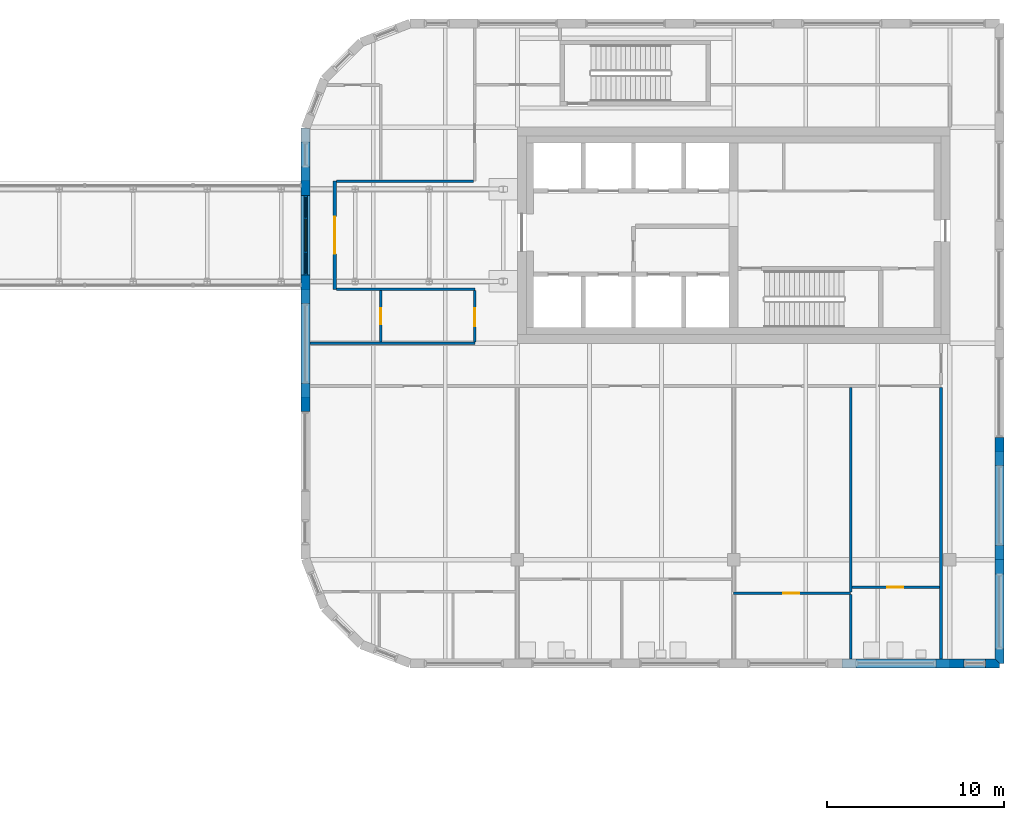
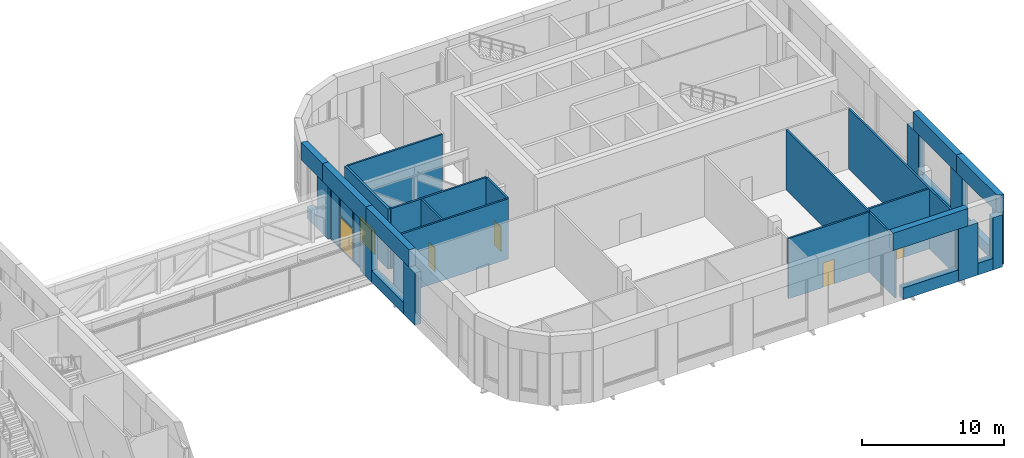
# One storey, part 27 of 36: 32 walls, 6 doors, 3 plates, 9 openings.
"""IFC4 building model written with IfcOpenShell, lengths in metres."""

from ifc_helpers import new_model, si_unit, direction, frame, frame_2d, origin, place, context, subcontext, project, spatial, polyline, rectangle, outline, extrude, faceted_brep, source, transform, mapped, material, layer, layer_set, type_object, element, fill, save


model = new_model("IFC4")

# Units and contexts
model_context = context("Model", 3, precision=1e-05, world=origin(), true_north=direction((0.0, 1.0)))
body_context = subcontext(model_context, "Body", "Model", "MODEL_VIEW")
ifc_project = project(units=[si_unit("LENGTHUNIT", "METRE"), si_unit("AREAUNIT", "SQUARE_METRE"), si_unit("VOLUMEUNIT", "CUBIC_METRE"), si_unit("PLANEANGLEUNIT", "RADIAN"), si_unit("MASSUNIT", "GRAM", prefix="KILO")], contexts=[model_context])

# Site, building, storey
site_placement = place(None, origin())
site = spatial("IfcSite", under=ifc_project, at=site_placement, CompositionType="ELEMENT")
building_placement = place(site_placement, origin())
building = spatial("IfcBuilding", under=site, at=building_placement, Name="Tessera Gate Towers", CompositionType="ELEMENT")
storey_placement = place(building_placement, frame((0.0, 0.0, 106.60009765625)))
storey = spatial("IfcBuildingStorey", under=building, at=storey_placement, Name="L26", CompositionType="ELEMENT", Elevation=106.60009765625)

# Wall, opening, door
ifc_material_1 = material(Name="Gypsum board on steel studs", Category="steel")
ifc_layer_1 = layer(ifc_material_1, 0.199951171875)
ifc_layer_set_1 = layer_set([ifc_layer_1], Name="BRIDGE LANDING WALL 200")
wall_type_1 = type_object("IfcWallType", Name="BRIDGE LANDING WALL 200", PredefinedType="PARTITIONING", material=ifc_layer_set_1)
wall_1_placement = place(storey_placement, frame((87.300048828125, 45.75, 0.0), z_axis=(0.0, 0.0, 1.0), x_axis=(0.0, -1.0, 0.0)))
wall_1 = element("IfcWall", 1, at=wall_1_placement, inside=storey, type_object=wall_type_1, Name="L26 bridge landing wall", PredefinedType="PARTITIONING", context=body_context, shape_type="SweptSolid", body=[
    extrude(rectangle(XDim=6.10009765625, YDim=0.199951171875, at=frame_2d((3.050048828125, 0.0))), origin(), (0.0, 0.0, 1.0), 5.1669921875),
])
shared_shape_1 = source(origin(), body_context, "Body", "SweptSolid", [
    extrude(rectangle(XDim=2.10009765625, YDim=2.10009765625, at=frame_2d((1.050048828125, 1.050048828125))), frame((0.0, 0.10986328125, 0.0), z_axis=(0.0, -1.0, 0.0), x_axis=(1.0, 0.0, 0.0)), (0.0, 0.0, 1.0), 0.219970703125),
])
opening_1_placement = place(wall_1_placement, frame((2.0, 0.0, 0.0)))
opening_1 = element("IfcOpeningElement", 2, at=opening_1_placement, cuts=wall_1, Name="Opening XD-BR2-T2", PredefinedType="OPENING", context=body_context, shape_type="MappedRepresentation", body=[
    mapped(shared_shape_1, transform((0.0, 0.0, 0.0), scale=1.0)),
])
ifc_material_2 = material(Name="Hollow steel fire door", Category="steel")
door_type_1 = type_object("IfcDoorType", Name="CORE DOOR XD 2100x2100", OperationType="NOTDEFINED", PredefinedType="DOOR", material=ifc_material_2)
shared_shape_2 = source(origin(), body_context, "Body", "SweptSolid", [
    extrude(rectangle(XDim=2.10009765625, YDim=2.10009765625, at=frame_2d((1.050048828125, 1.050048828125))), frame((0.0, 0.02490234375, 0.0), z_axis=(0.0, -1.0, 0.0), x_axis=(1.0, 0.0, 0.0)), (0.0, 0.0, 1.0), 0.050048828125),
])
door_1_placement = place(opening_1_placement, origin())
door_1 = element("IfcDoor", 3, at=door_1_placement, inside=storey, type_object=door_type_1, Name="Bridge fire door", OperationType="DOUBLE_DOOR_SINGLE_SWING", OverallHeight=2.10009765625, OverallWidth=2.10009765625, PredefinedType="DOOR", context=body_context, shape_type="MappedRepresentation", body=[
    mapped(shared_shape_2, transform((0.0, 0.0, 0.0), scale=1.0)),
])
fill(opening_1, door_1)

# Wall
ifc_material_3 = material(Name="Gypsum board on steel studs, mineral wool", Category="steel")
ifc_layer_2 = layer(ifc_material_3, 0.14990234375)
ifc_layer_set_2 = layer_set([ifc_layer_2], Name="CORRIDOR WALL 150")
wall_type_2 = type_object("IfcWallType", Name="CORRIDOR WALL 150", PredefinedType="PARTITIONING", material=ifc_layer_set_2)
wall_2_placement = place(storey_placement, frame((85.89990234375, 36.60009765625, 0.0), z_axis=(0.0, 0.0, 1.0), x_axis=(1.0, 0.0, 0.0)))
element("IfcWall", 4, at=wall_2_placement, inside=storey, type_object=wall_type_2, Name="T2-L26-PW-018", PredefinedType="PARTITIONING", context=body_context, shape_type="SweptSolid", body=[
    extrude(rectangle(XDim=9.300048828125, YDim=0.14990234375, at=frame_2d((4.64990234375, 0.0))), origin(), (0.0, 0.0, 1.0), 5.1669921875),
])

# Wall, opening, door
wall_3_placement = place(storey_placement, frame((95.199951171875, 36.676025390625, 0.0), z_axis=(0.0, 0.0, 1.0), x_axis=(0.0, 1.0, 0.0)))
wall_3 = element("IfcWall", 5, at=wall_3_placement, inside=storey, type_object=wall_type_2, Name="T2-L26-PW-020", PredefinedType="PARTITIONING", context=body_context, shape_type="SweptSolid", body=[
    extrude(rectangle(XDim=2.89794921875, YDim=0.14990234375, at=frame_2d((1.448974609375, 0.0))), origin(), (0.0, 0.0, 1.0), 5.1669921875),
])
shared_shape_3 = source(origin(), body_context, "Body", "SweptSolid", [
    extrude(rectangle(XDim=1.0, YDim=2.10009765625, at=frame_2d((0.5, 1.050048828125))), frame((0.0, 0.0849609375, 0.0), z_axis=(0.0, -1.0, 0.0), x_axis=(1.0, 0.0, 0.0)), (0.0, 0.0, 1.0), 0.169921875),
])
opening_2_placement = place(wall_3_placement, frame((0.89990234375, 0.0, 0.0)))
opening_2 = element("IfcOpeningElement", 6, at=opening_2_placement, cuts=wall_3, Name="Opening D2100FD60-B11-03", PredefinedType="OPENING", context=body_context, shape_type="MappedRepresentation", body=[
    mapped(shared_shape_3, transform((0.0, 0.0, 0.0), scale=1.0)),
])
ifc_material_4 = material(Name="Timber door leaf in steel frame", Category="steel")
door_type_2 = type_object("IfcDoorType", Name="TENANCY ENTRANCE DOOR 1000 FD60", OperationType="NOTDEFINED", PredefinedType="DOOR", material=ifc_material_4)
shared_shape_4 = source(origin(), body_context, "Body", "SweptSolid", [
    extrude(rectangle(XDim=1.0, YDim=2.10009765625, at=frame_2d((0.5, 1.050048828125))), frame((0.0, 0.02490234375, 0.0), z_axis=(0.0, -1.0, 0.0), x_axis=(1.0, 0.0, 0.0)), (0.0, 0.0, 1.0), 0.050048828125),
])
door_2_placement = place(opening_2_placement, origin())
door_2 = element("IfcDoor", 7, at=door_2_placement, inside=storey, type_object=door_type_2, Name="T2-L26-PD-013", OperationType="SINGLE_SWING_LEFT", OverallHeight=2.10009765625, OverallWidth=1.0, PredefinedType="DOOR", context=body_context, shape_type="MappedRepresentation", body=[
    mapped(shared_shape_4, transform((0.0, 0.0, 0.0), scale=1.0)),
])
fill(opening_2, door_2)

# Walls
wall_4_placement = place(storey_placement, frame((87.39990234375, 39.64990234375, 0.0), z_axis=(0.0, 0.0, 1.0), x_axis=(1.0, 0.0, 0.0)))
element("IfcWall", 8, at=wall_4_placement, inside=storey, type_object=wall_type_2, Name="T2-L26-PW-021", PredefinedType="PARTITIONING", context=body_context, shape_type="SweptSolid", body=[
    extrude(rectangle(XDim=7.800048828125, YDim=0.14990234375, at=frame_2d((3.89990234375, 0.0))), origin(), (0.0, 0.0, 1.0), 5.1669921875),
])
wall_5_placement = place(storey_placement, frame((87.39990234375, 45.75, 0.0), z_axis=(0.0, 0.0, 1.0), x_axis=(1.0, 0.0, 0.0)))
element("IfcWall", 9, at=wall_5_placement, inside=storey, type_object=wall_type_2, Name="T2-L26-PW-022", PredefinedType="PARTITIONING", context=body_context, shape_type="SweptSolid", body=[
    extrude(rectangle(XDim=7.72412109375, YDim=0.14990234375, at=frame_2d((3.862060546875, 0.0))), origin(), (0.0, 0.0, 1.0), 5.1669921875),
])
ifc_material_5 = material(Name="Gypsum board on steel studs, mineral wool", Category="steel")
ifc_layer_3 = layer(ifc_material_5, 0.14990234375)
ifc_layer_set_3 = layer_set([ifc_layer_3], Name="TENANCY WALL 150")
wall_type_3 = type_object("IfcWallType", Name="TENANCY WALL 150", PredefinedType="PARTITIONING", material=ifc_layer_set_3)
wall_6_placement = place(storey_placement, frame((116.39990234375, 18.800048828125, 0.0), z_axis=(0.0, 0.0, 1.0), x_axis=(0.0, 1.0, 0.0)))
element("IfcWall", 10, at=wall_6_placement, inside=storey, type_object=wall_type_3, Name="T2-L26-PW-005", PredefinedType="PARTITIONING", context=body_context, shape_type="SweptSolid", body=[
    extrude(rectangle(XDim=3.6240234375, YDim=0.14990234375, at=frame_2d((1.81201171875, 0.0))), origin(), (0.0, 0.0, 1.0), 5.1669921875),
])
wall_7_placement = place(storey_placement, frame((121.5, 18.800048828125, 0.0), z_axis=(0.0, 0.0, 1.0), x_axis=(0.0, 1.0, 0.0)))
element("IfcWall", 11, at=wall_7_placement, inside=storey, type_object=wall_type_3, Name="T2-L26-PW-006", PredefinedType="PARTITIONING", context=body_context, shape_type="SweptSolid", body=[
    extrude(rectangle(XDim=15.323974609375, YDim=0.14990234375, at=frame_2d((7.662109375, 0.0))), origin(), (0.0, 0.0, 1.0), 5.1669921875),
])

# Wall, opening, door
wall_8_placement = place(storey_placement, frame((116.39990234375, 22.5, 0.0), z_axis=(0.0, 0.0, 1.0), x_axis=(-1.0, 0.0, 0.0)))
wall_8 = element("IfcWall", 12, at=wall_8_placement, inside=storey, type_object=wall_type_3, Name="T2-L26-PW-008", PredefinedType="PARTITIONING", context=body_context, shape_type="SweptSolid", body=[
    extrude(rectangle(XDim=6.599853515625, YDim=0.14990234375, at=frame_2d((3.2998046875, 0.0))), origin(), (0.0, 0.0, 1.0), 5.1669921875),
])
shared_shape_5 = source(origin(), body_context, "Body", "SweptSolid", [
    extrude(rectangle(XDim=0.89990234375, YDim=2.10009765625, at=frame_2d((0.449951171875, 1.050048828125))), frame((0.0, 0.0849609375, 0.0), z_axis=(0.0, -1.0, 0.0), x_axis=(1.0, 0.0, 0.0)), (0.0, 0.0, 1.0), 0.169921875),
])
opening_3_placement = place(wall_8_placement, frame((2.89990234375, 0.0, 0.0)))
opening_3 = element("IfcOpeningElement", 13, at=opening_3_placement, cuts=wall_8, Name="Opening D190-B11-08", PredefinedType="OPENING", context=body_context, shape_type="MappedRepresentation", body=[
    mapped(shared_shape_5, transform((0.0, 0.0, 0.0), scale=1.0)),
])
ifc_material_6 = material(Name="Timber door leaf in steel frame", Category="steel")
door_type_3 = type_object("IfcDoorType", Name="INTERNAL DOOR 900 NOT RATED", OperationType="NOTDEFINED", PredefinedType="DOOR", material=ifc_material_6)
shared_shape_6 = source(origin(), body_context, "Body", "SweptSolid", [
    extrude(rectangle(XDim=0.89990234375, YDim=2.10009765625, at=frame_2d((0.449951171875, 1.050048828125))), frame((0.0, 0.02490234375, 0.0), z_axis=(0.0, -1.0, 0.0), x_axis=(1.0, 0.0, 0.0)), (0.0, 0.0, 1.0), 0.050048828125),
])
door_3_placement = place(opening_3_placement, origin())
door_3 = element("IfcDoor", 14, at=door_3_placement, inside=storey, type_object=door_type_3, Name="T2-L26-PD-012", OperationType="SINGLE_SWING_RIGHT", OverallHeight=2.10009765625, OverallWidth=0.89990234375, PredefinedType="DOOR", context=body_context, shape_type="MappedRepresentation", body=[
    mapped(shared_shape_6, transform((0.0, 0.0, 0.0), scale=1.0)),
])
fill(opening_3, door_3)

# Wall
wall_9_placement = place(storey_placement, frame((116.39990234375, 22.575927734375, 0.0), z_axis=(0.0, 0.0, 1.0), x_axis=(0.0, 1.0, 0.0)))
element("IfcWall", 15, at=wall_9_placement, inside=storey, type_object=wall_type_3, Name="T2-L26-PW-011", PredefinedType="PARTITIONING", context=body_context, shape_type="SweptSolid", body=[
    extrude(rectangle(XDim=11.548095703125, YDim=0.14990234375, at=frame_2d((5.77392578125, 0.0))), origin(), (0.0, 0.0, 1.0), 5.1669921875),
])

# Wall, opening, door
wall_10_placement = place(storey_placement, frame((121.424072265625, 22.85009765625, 0.0), z_axis=(0.0, 0.0, 1.0), x_axis=(-1.0, 0.0, 0.0)))
wall_10 = element("IfcWall", 16, at=wall_10_placement, inside=storey, type_object=wall_type_3, Name="T2-L26-PW-012", PredefinedType="PARTITIONING", context=body_context, shape_type="SweptSolid", body=[
    extrude(rectangle(XDim=4.947998046875, YDim=0.14990234375, at=frame_2d((2.47412109375, 0.0))), origin(), (0.0, 0.0, 1.0), 5.1669921875),
])
opening_4_placement = place(wall_10_placement, frame((2.048095703125, 0.0, 0.0)))
opening_4 = element("IfcOpeningElement", 17, at=opening_4_placement, cuts=wall_10, Name="Opening D190-B11-05", PredefinedType="OPENING", context=body_context, shape_type="MappedRepresentation", body=[
    mapped(shared_shape_5, transform((0.0, 0.0, 0.0), scale=1.0)),
])
door_4_placement = place(opening_4_placement, origin())
door_4 = element("IfcDoor", 18, at=door_4_placement, inside=storey, type_object=door_type_3, Name="T2-L26-PD-006", OperationType="SINGLE_SWING_RIGHT", OverallHeight=2.10009765625, OverallWidth=0.89990234375, PredefinedType="DOOR", context=body_context, shape_type="MappedRepresentation", body=[
    mapped(shared_shape_6, transform((0.0, 0.0, 0.0), scale=1.0)),
])
fill(opening_4, door_4)

wall_11_placement = place(storey_placement, frame((89.89990234375, 36.676025390625, 0.0), z_axis=(0.0, 0.0, 1.0), x_axis=(0.0, 1.0, 0.0)))
wall_11 = element("IfcWall", 19, at=wall_11_placement, inside=storey, type_object=wall_type_3, Name="T2-L26-PW-019", PredefinedType="PARTITIONING", context=body_context, shape_type="SweptSolid", body=[
    extrude(rectangle(XDim=2.89794921875, YDim=0.14990234375, at=frame_2d((1.448974609375, 0.0))), origin(), (0.0, 0.0, 1.0), 5.1669921875),
])
opening_5_placement = place(wall_11_placement, frame((1.0, 0.0, 0.0)))
opening_5 = element("IfcOpeningElement", 20, at=opening_5_placement, cuts=wall_11, Name="Opening D190-B11-01", PredefinedType="OPENING", context=body_context, shape_type="MappedRepresentation", body=[
    mapped(shared_shape_5, transform((0.0, 0.0, 0.0), scale=1.0)),
])
door_5_placement = place(opening_5_placement, origin())
door_5 = element("IfcDoor", 21, at=door_5_placement, inside=storey, type_object=door_type_3, Name="T2-L26-PD-001", OperationType="SINGLE_SWING_LEFT", OverallHeight=2.10009765625, OverallWidth=0.89990234375, PredefinedType="DOOR", context=body_context, shape_type="MappedRepresentation", body=[
    mapped(shared_shape_6, transform((0.0, 0.0, 0.0), scale=1.0)),
])
fill(opening_5, door_5)

# Wall, openings, plates, door
ifc_material_7 = material(Name="Aluminium storefront glazing", Category="aluminium")
ifc_layer_4 = layer(ifc_material_7, 0.199951171875)
ifc_layer_set_4 = layer_set([ifc_layer_4], Name="WS3 fire rated bay wall")
wall_type_4 = type_object("IfcWallType", Name="WS3 fire rated bay wall", PredefinedType="PARTITIONING", material=ifc_layer_set_4)
wall_12_placement = place(storey_placement, frame((85.64990234375, 44.949951171875, 0.0), z_axis=(0.0, 0.0, 1.0), x_axis=(0.0, -1.0, 0.0)))
wall_12 = element("IfcWall", 22, at=wall_12_placement, inside=storey, type_object=wall_type_4, Name="Storefront bay wall T2 WS3-0001", PredefinedType="PARTITIONING", context=body_context, shape_type="SweptSolid", body=[
    extrude(rectangle(XDim=4.5, YDim=0.199951171875, at=frame_2d((2.25, 0.0))), origin(), (0.0, 0.0, 1.0), 4.5),
])
shared_shape_7 = source(origin(), body_context, "Body", "SweptSolid", [
    extrude(rectangle(XDim=1.800048828125, YDim=2.699951171875, at=frame_2d((0.89990234375, 1.35009765625))), frame((0.0, 0.10986328125, 0.0), z_axis=(0.0, -1.0, 0.0), x_axis=(1.0, 0.0, 0.0)), (0.0, 0.0, 1.0), 0.219970703125),
])
opening_6_placement = place(wall_12_placement, frame((1.35009765625, 0.0, 0.0)))
opening_6 = element("IfcOpeningElement", 23, at=opening_6_placement, cuts=wall_12, Name="Opening D-E202", PredefinedType="OPENING", context=body_context, shape_type="MappedRepresentation", body=[
    mapped(shared_shape_7, transform((0.0, 0.0, 0.0), scale=1.0)),
])
shared_shape_8 = source(origin(), body_context, "Body", "SweptSolid", [
    extrude(outline(polyline([(0.1201171875, 0.099853515625), (1.22998046875, 0.099853515625), (1.22998046875, 4.39990234375), (0.1201171875, 4.39990234375), (0.1201171875, 0.099853515625)])), frame((0.0, 0.10986328125, 0.0), z_axis=(0.0, -1.0, 0.0), x_axis=(1.0, 0.0, 0.0)), (0.0, 0.0, 1.0), 0.219970703125),
])
opening_7_placement = place(wall_12_placement, origin())
opening_7 = element("IfcOpeningElement", 24, at=opening_7_placement, cuts=wall_12, Name="Opening T2-PL3-0001", PredefinedType="OPENING", context=body_context, shape_type="MappedRepresentation", body=[
    mapped(shared_shape_8, transform((0.0, 0.0, 0.0), scale=1.0)),
])
shared_shape_9 = source(origin(), body_context, "Body", "SweptSolid", [
    extrude(outline(polyline([(3.27001953125, 0.099853515625), (4.3798828125, 0.099853515625), (4.3798828125, 4.39990234375), (3.27001953125, 4.39990234375), (3.27001953125, 0.099853515625)])), frame((0.0, 0.10986328125, 0.0), z_axis=(0.0, -1.0, 0.0), x_axis=(1.0, 0.0, 0.0)), (0.0, 0.0, 1.0), 0.219970703125),
])
opening_8_placement = place(wall_12_placement, origin())
opening_8 = element("IfcOpeningElement", 25, at=opening_8_placement, cuts=wall_12, Name="Opening T2-PL3-0002", PredefinedType="OPENING", context=body_context, shape_type="MappedRepresentation", body=[
    mapped(shared_shape_9, transform((0.0, 0.0, 0.0), scale=1.0)),
])
shared_shape_10 = source(origin(), body_context, "Body", "SweptSolid", [
    extrude(outline(polyline([(1.35009765625, 2.81982421875), (3.14990234375, 2.81982421875), (3.14990234375, 4.39990234375), (1.35009765625, 4.39990234375), (1.35009765625, 2.81982421875)])), frame((0.0, 0.10986328125, 0.0), z_axis=(0.0, -1.0, 0.0), x_axis=(1.0, 0.0, 0.0)), (0.0, 0.0, 1.0), 0.219970703125),
])
opening_9_placement = place(wall_12_placement, origin())
opening_9 = element("IfcOpeningElement", 26, at=opening_9_placement, cuts=wall_12, Name="Opening T2-PL3-0003", PredefinedType="OPENING", context=body_context, shape_type="MappedRepresentation", body=[
    mapped(shared_shape_10, transform((0.0, 0.0, 0.0), scale=1.0)),
])
ifc_material_8 = material(Name="Low-e laminated glass", Category="glass")
ifc_layer_5 = layer(ifc_material_8, 0.06005859375)
ifc_layer_set_5 = layer_set([ifc_layer_5], Name="PL3 storefront pane")
plate_type = type_object("IfcPlateType", Name="PL3 storefront pane", PredefinedType="SHEET", material=ifc_layer_set_5)
shared_shape_11 = source(origin(), body_context, "Body", "SweptSolid", [
    extrude(outline(polyline([(0.1201171875, 0.099853515625), (1.22998046875, 0.099853515625), (1.22998046875, 4.39990234375), (0.1201171875, 4.39990234375), (0.1201171875, 0.099853515625)])), frame((0.0, 0.030029296875, 0.0), z_axis=(0.0, -1.0, 0.0), x_axis=(1.0, 0.0, 0.0)), (0.0, 0.0, 1.0), 0.06005859375),
])
plate_1_placement = place(opening_7_placement, origin())
plate_1 = element("IfcPlate", 27, at=plate_1_placement, inside=storey, type_object=plate_type, Name="Glass pane T2 PL3-0001", PredefinedType="SHEET", context=body_context, shape_type="MappedRepresentation", body=[
    mapped(shared_shape_11, transform((0.0, 0.0, 0.0), scale=1.0)),
])
fill(opening_7, plate_1)
shared_shape_12 = source(origin(), body_context, "Body", "SweptSolid", [
    extrude(outline(polyline([(3.27001953125, 0.099853515625), (4.3798828125, 0.099853515625), (4.3798828125, 4.39990234375), (3.27001953125, 4.39990234375), (3.27001953125, 0.099853515625)])), frame((0.0, 0.030029296875, 0.0), z_axis=(0.0, -1.0, 0.0), x_axis=(1.0, 0.0, 0.0)), (0.0, 0.0, 1.0), 0.06005859375),
])
plate_2_placement = place(opening_8_placement, origin())
plate_2 = element("IfcPlate", 28, at=plate_2_placement, inside=storey, type_object=plate_type, Name="Glass pane T2 PL3-0002", PredefinedType="SHEET", context=body_context, shape_type="MappedRepresentation", body=[
    mapped(shared_shape_12, transform((0.0, 0.0, 0.0), scale=1.0)),
])
fill(opening_8, plate_2)
shared_shape_13 = source(origin(), body_context, "Body", "SweptSolid", [
    extrude(outline(polyline([(1.35009765625, 2.81982421875), (3.14990234375, 2.81982421875), (3.14990234375, 4.39990234375), (1.35009765625, 4.39990234375), (1.35009765625, 2.81982421875)])), frame((0.0, 0.030029296875, 0.0), z_axis=(0.0, -1.0, 0.0), x_axis=(1.0, 0.0, 0.0)), (0.0, 0.0, 1.0), 0.06005859375),
])
plate_3_placement = place(opening_9_placement, origin())
plate_3 = element("IfcPlate", 29, at=plate_3_placement, inside=storey, type_object=plate_type, Name="Glass pane T2 PL3-0003", PredefinedType="SHEET", context=body_context, shape_type="MappedRepresentation", body=[
    mapped(shared_shape_13, transform((0.0, 0.0, 0.0), scale=1.0)),
])
fill(opening_9, plate_3)
ifc_material_9 = material(Name="Steel and glass fire door", Category="steel")
ifc_layer_6 = layer(ifc_material_9, 0.06005859375)
ifc_layer_set_6 = layer_set([ifc_layer_6], Name="DL3 bridge door")
door_type_4 = type_object("IfcDoorType", Name="DL3 bridge door", OperationType="DOUBLE_DOOR_SINGLE_SWING", PredefinedType="DOOR", material=ifc_layer_set_6)
shared_shape_14 = source(origin(), body_context, "Body", "SweptSolid", [
    extrude(rectangle(XDim=1.800048828125, YDim=2.699951171875, at=frame_2d((0.89990234375, 1.35009765625))), frame((0.0, 0.030029296875, 0.0), z_axis=(0.0, -1.0, 0.0), x_axis=(1.0, 0.0, 0.0)), (0.0, 0.0, 1.0), 0.06005859375),
])
door_6_placement = place(opening_6_placement, origin())
door_6 = element("IfcDoor", 30, at=door_6_placement, inside=storey, type_object=door_type_4, Name="Bridge door D-E202", OperationType="DOUBLE_DOOR_SINGLE_SWING", OverallHeight=2.699951171875, OverallWidth=1.800048828125, PredefinedType="DOOR", context=body_context, shape_type="MappedRepresentation", body=[
    mapped(shared_shape_14, transform((0.0, 0.0, 0.0), scale=1.0)),
])
fill(opening_6, door_6)

# Walls
ifc_material_10 = material(Name="Precast concrete C60/75 white", Category="concrete")
ifc_layer_7 = layer(ifc_material_10, 0.5)
ifc_layer_set_7 = layer_set([ifc_layer_7], Name="RB1 ring band panel")
wall_type_5 = type_object("IfcWallType", Name="RB1 ring band panel", PredefinedType="SOLIDWALL", material=ifc_layer_set_7)
shared_shape_15 = source(origin(), body_context, "Body", "Brep", [
    faceted_brep([(0.0, -0.25, 0.0), (1.599853515625, -0.25, 0.0), (1.599853515625, -0.25, 4.5), (0.0, -0.25, 4.5), (0.0, 0.25, 4.5), (1.599853515625, 0.25, 4.5), (1.599853515625, 0.25, 0.0), (0.0, 0.25, 0.0)], [[[0, 1, 2, 3]], [[4, 5, 6, 7]], [[7, 6, 1, 0]], [[5, 4, 3, 2]], [[4, 7, 0, 3]], [[1, 6, 5, 2]]]),
])
for number, where, z_axis, x_axis, name in (
    (31, (124.800048828125, 23.60009765625, 0.0), (0.0, 0.0, 1.0), (0.0, 1.0, 0.0), "Ring band panel T2 RB1-0043"),
    (32, (85.64990234375, 40.449951171875, 0.0), (0.0, 0.0, 1.0), (0.0, -1.0, 0.0), "Ring band panel T2 RB1-0094"),
):
    element("IfcWall", number, at=place(storey_placement, frame(where, z_axis=z_axis, x_axis=x_axis)), inside=storey, type_object=wall_type_5, Name=name, PredefinedType="SOLIDWALL", context=body_context, shape_type="MappedRepresentation", body=[
        mapped(shared_shape_15, transform((0.0, 0.0, 0.0), scale=1.0)),
    ])
shared_shape_16 = source(origin(), body_context, "Body", "SweptSolid", [
    extrude(outline(polyline([(0.0, 0.0), (1.60009765625, 0.0), (1.60009765625, 4.5), (0.0, 4.5), (0.0, 0.0)])), frame((0.0, 0.25, 0.0), z_axis=(0.0, -1.0, 0.0), x_axis=(1.0, 0.0, 0.0)), (0.0, 0.0, 1.0), 0.5),
])
for number, where, z_axis, x_axis, name in (
    (33, (121.199951171875, 18.550048828125, 0.0), (0.0, 0.0, 1.0), (1.0, 0.0, 0.0), "Ring band panel T2 RB1-0028"),
    (34, (124.800048828125, 29.699951171875, 0.0), (0.0, 0.0, 1.0), (0.0, 1.0, 0.0), "Ring band panel T2 RB1-0044"),
    (35, (85.64990234375, 46.550048828125, 0.0), (0.0, 0.0, 1.0), (0.0, -1.0, 0.0), "Ring band panel T2 RB1-0093"),
    (36, (85.64990234375, 34.35009765625, 0.0), (0.0, 0.0, 1.0), (0.0, -1.0, 0.0), "Ring band panel T2 RB1-0095"),
):
    element("IfcWall", number, at=place(storey_placement, frame(where, z_axis=z_axis, x_axis=x_axis)), inside=storey, type_object=wall_type_5, Name=name, PredefinedType="SOLIDWALL", context=body_context, shape_type="MappedRepresentation", body=[
        mapped(shared_shape_16, transform((0.0, 0.0, 0.0), scale=1.0)),
    ])
shared_shape_17 = source(origin(), body_context, "Body", "SweptSolid", [
    extrude(outline(polyline([(0.0, 0.0), (4.5, 0.0), (4.5, 1.0), (0.0, 1.0), (0.0, 0.0)])), frame((0.0, 0.25, 0.0), z_axis=(0.0, -1.0, 0.0), x_axis=(1.0, 0.0, 0.0)), (0.0, 0.0, 1.0), 0.5),
])
for number, where, z_axis, x_axis, name in (
    (37, (116.699951171875, 18.550048828125, 0.0), (0.0, 0.0, 1.0), (1.0, 0.0, 0.0), "Ring band panel T2 RB1-0038"),
    (38, (124.800048828125, 25.199951171875, 0.0), (0.0, 0.0, 1.0), (0.0, 1.0, 0.0), "Ring band panel T2 RB1-0051"),
    (39, (85.64990234375, 38.85009765625, 0.0), (0.0, 0.0, 1.0), (0.0, -1.0, 0.0), "Ring band panel T2 RB1-0101"),
):
    element("IfcWall", number, at=place(storey_placement, frame(where, z_axis=z_axis, x_axis=x_axis)), inside=storey, type_object=wall_type_5, Name=name, PredefinedType="SOLIDWALL", context=body_context, shape_type="MappedRepresentation", body=[
        mapped(shared_shape_17, transform((0.0, 0.0, 0.0), scale=1.0)),
    ])
shared_shape_18 = source(origin(), body_context, "Body", "Brep", [
    faceted_brep([(0.0, -0.25, 0.0), (6.099853515625, -0.25, 0.0), (6.099853515625, -0.25, 1.5), (0.0, -0.25, 1.5), (0.0, 0.25, 1.5), (6.099853515625, 0.25, 1.5), (6.099853515625, 0.25, 0.0), (0.0, 0.25, 0.0)], [[[0, 1, 2, 3]], [[4, 5, 6, 7]], [[7, 6, 1, 0]], [[5, 4, 3, 2]], [[4, 7, 0, 3]], [[1, 6, 5, 2]]]),
])
wall_13_placement = place(storey_placement, frame((85.64990234375, 39.64990234375, 4.5), z_axis=(0.0, 0.0, 1.0), x_axis=(0.0, -1.0, 0.0)))
element("IfcWall", 40, at=wall_13_placement, inside=storey, type_object=wall_type_5, Name="Ring band panel T2 RB1-0102", PredefinedType="SOLIDWALL", context=body_context, shape_type="MappedRepresentation", body=[
    mapped(shared_shape_18, transform((0.0, 0.0, 0.0), scale=1.0)),
])
shared_shape_19 = source(origin(), body_context, "Body", "SweptSolid", [
    extrude(outline(polyline([(0.0, 0.0), (6.10009765625, 0.0), (6.10009765625, 1.5), (0.0, 1.5), (0.0, 0.0)])), frame((0.0, 0.25, 0.0), z_axis=(0.0, -1.0, 0.0), x_axis=(1.0, 0.0, 0.0)), (0.0, 0.0, 1.0), 0.5),
])
for number, where, z_axis, x_axis, name in (
    (41, (115.89990234375, 18.550048828125, 4.5), (0.0, 0.0, 1.0), (1.0, 0.0, 0.0), "Ring band panel T2 RB1-0039"),
    (42, (124.800048828125, 24.39990234375, 4.5), (0.0, 0.0, 1.0), (0.0, 1.0, 0.0), "Ring band panel T2 RB1-0052"),
    (43, (85.64990234375, 45.75, 4.5), (0.0, 0.0, 1.0), (0.0, -1.0, 0.0), "Ring band panel T2 RB1-0100"),
):
    element("IfcWall", number, at=place(storey_placement, frame(where, z_axis=z_axis, x_axis=x_axis)), inside=storey, type_object=wall_type_5, Name=name, PredefinedType="SOLIDWALL", context=body_context, shape_type="MappedRepresentation", body=[
        mapped(shared_shape_19, transform((0.0, 0.0, 0.0), scale=1.0)),
    ])
shared_shape_20 = source(origin(), body_context, "Body", "Brep", [
    faceted_brep([(0.0, -0.25, 0.0), (3.00341796875, -0.25, 0.0), (3.00341796875, -0.25, 1.5), (0.0, -0.25, 1.5), (0.046630859375, 0.25, 1.5), (3.00341796875, 0.25, 1.5), (3.00341796875, 0.25, 0.0), (0.046630859375, 0.25, 0.0), (0.0, 0.0, 0.0), (0.0, 0.0, 1.5)], [[[0, 1, 2, 3]], [[4, 5, 6, 7]], [[7, 6, 1, 0, 8]], [[6, 5, 2, 1]], [[5, 4, 9, 3, 2]], [[8, 0, 3, 9]], [[7, 8, 9, 4]]]),
])
wall_14_placement = place(storey_placement, frame((85.64990234375, 48.75341796875, 4.5), z_axis=(0.0, 0.0, 1.0), x_axis=(0.0, -1.0, 0.0)))
element("IfcWall", 44, at=wall_14_placement, inside=storey, type_object=wall_type_5, Name="Ring band panel T2 RB1-0099", PredefinedType="SOLIDWALL", context=body_context, shape_type="MappedRepresentation", body=[
    mapped(shared_shape_20, transform((0.0, 0.0, 0.0), scale=1.0)),
])
shared_shape_21 = source(origin(), body_context, "Body", "Brep", [
    faceted_brep([(0.0, -0.25, 0.0), (1.4033203125, -0.25, 0.0), (1.4033203125, -0.25, 1.0), (0.0, -0.25, 1.0), (0.0, 0.25, 1.0), (1.4033203125, 0.25, 1.0), (1.4033203125, 0.25, 0.0), (0.0, 0.25, 0.0)], [[[0, 1, 2, 3]], [[4, 5, 6, 7]], [[7, 6, 1, 0]], [[5, 4, 3, 2]], [[4, 7, 0, 3]], [[1, 6, 5, 2]]]),
])
wall_15_placement = place(storey_placement, frame((85.64990234375, 47.953369140625, 0.0), z_axis=(0.0, 0.0, 1.0), x_axis=(0.0, -1.0, 0.0)))
element("IfcWall", 45, at=wall_15_placement, inside=storey, type_object=wall_type_5, Name="Ring band panel T2 RB1-0098", PredefinedType="SOLIDWALL", context=body_context, shape_type="MappedRepresentation", body=[
    mapped(shared_shape_21, transform((0.0, 0.0, 0.0), scale=1.0)),
])
shared_shape_22 = source(origin(), body_context, "Body", "Brep", [
    faceted_brep([(0.0, -0.25, 0.0), (0.800048828125, -0.25, 0.0), (0.800048828125, -0.25, 4.5), (0.0, -0.25, 4.5), (0.0, 0.25, 4.5), (0.550048828125, 0.25, 4.5), (0.550048828125, 0.25, 0.0), (0.0, 0.25, 0.0), (0.800048828125, 0.0, 0.0), (0.800048828125, 0.0, 4.5)], [[[0, 1, 2, 3]], [[4, 5, 6, 7]], [[7, 6, 8, 1, 0]], [[9, 2, 1, 8]], [[5, 4, 3, 2, 9]], [[4, 7, 0, 3]], [[8, 6, 5, 9]]]),
])
wall_16_placement = place(storey_placement, frame((124.0, 18.550048828125, 0.0), z_axis=(0.0, 0.0, 1.0), x_axis=(1.0, 0.0, 0.0)))
element("IfcWall", 46, at=wall_16_placement, inside=storey, type_object=wall_type_5, Name="Ring band panel T2 RB1-0029", PredefinedType="SOLIDWALL", context=body_context, shape_type="MappedRepresentation", body=[
    mapped(shared_shape_22, transform((0.0, 0.0, 0.0), scale=1.0)),
])
shared_shape_23 = source(origin(), body_context, "Body", "SweptSolid", [
    extrude(outline(polyline([(0.0, 0.0), (1.199951171875, 0.0), (1.199951171875, 1.0), (0.0, 1.0), (0.0, 0.0)])), frame((0.0, 0.25, 0.0), z_axis=(0.0, -1.0, 0.0), x_axis=(1.0, 0.0, 0.0)), (0.0, 0.0, 1.0), 0.5),
])
wall_17_placement = place(storey_placement, frame((122.800048828125, 18.550048828125, 0.0), z_axis=(0.0, 0.0, 1.0), x_axis=(1.0, 0.0, 0.0)))
element("IfcWall", 47, at=wall_17_placement, inside=storey, type_object=wall_type_5, Name="Ring band panel T2 RB1-0040", PredefinedType="SOLIDWALL", context=body_context, shape_type="MappedRepresentation", body=[
    mapped(shared_shape_23, transform((0.0, 0.0, 0.0), scale=1.0)),
])
shared_shape_24 = source(origin(), body_context, "Body", "Brep", [
    faceted_brep([(0.0, -0.25, 0.0), (0.800048828125, -0.25, 0.0), (0.800048828125, -0.25, 4.5), (0.0, -0.25, 4.5), (0.25, 0.25, 4.5), (0.800048828125, 0.25, 4.5), (0.800048828125, 0.25, 0.0), (0.25, 0.25, 0.0), (0.0, 0.0, 0.0), (0.0, 0.0, 4.5)], [[[0, 1, 2, 3]], [[4, 5, 6, 7]], [[7, 6, 1, 0, 8]], [[5, 4, 9, 3, 2]], [[8, 0, 3, 9]], [[7, 8, 9, 4]], [[1, 6, 5, 2]]]),
])
wall_18_placement = place(storey_placement, frame((124.800048828125, 18.550048828125, 0.0), z_axis=(0.0, 0.0, 1.0), x_axis=(0.0, 1.0, 0.0)))
element("IfcWall", 48, at=wall_18_placement, inside=storey, type_object=wall_type_5, Name="Ring band panel T2 RB1-0042", PredefinedType="SOLIDWALL", context=body_context, shape_type="MappedRepresentation", body=[
    mapped(shared_shape_24, transform((0.0, 0.0, 0.0), scale=1.0)),
])
shared_shape_25 = source(origin(), body_context, "Body", "SweptSolid", [
    extrude(outline(polyline([(0.0, 0.0), (4.25, 0.0), (4.25, 1.0), (0.0, 1.0), (0.0, 0.0)])), frame((0.0, 0.25, 0.0), z_axis=(0.0, -1.0, 0.0), x_axis=(1.0, 0.0, 0.0)), (0.0, 0.0, 1.0), 0.5),
])
wall_19_placement = place(storey_placement, frame((124.800048828125, 19.35009765625, 0.0), z_axis=(0.0, 0.0, 1.0), x_axis=(0.0, 1.0, 0.0)))
element("IfcWall", 49, at=wall_19_placement, inside=storey, type_object=wall_type_5, Name="Ring band panel T2 RB1-0049", PredefinedType="SOLIDWALL", context=body_context, shape_type="MappedRepresentation", body=[
    mapped(shared_shape_25, transform((0.0, 0.0, 0.0), scale=1.0)),
])
shared_shape_26 = source(origin(), body_context, "Body", "Brep", [
    faceted_brep([(0.0, -0.25, 0.0), (5.85009765625, -0.25, 0.0), (5.85009765625, -0.25, 1.5), (0.0, -0.25, 1.5), (0.25, 0.25, 1.5), (5.85009765625, 0.25, 1.5), (5.85009765625, 0.25, 0.0), (0.25, 0.25, 0.0), (0.0, 0.0, 0.0), (0.0, 0.0, 1.5)], [[[0, 1, 2, 3]], [[4, 5, 6, 7]], [[7, 6, 1, 0, 8]], [[5, 4, 9, 3, 2]], [[8, 0, 3, 9]], [[7, 8, 9, 4]], [[1, 6, 5, 2]]]),
])
wall_20_placement = place(storey_placement, frame((124.800048828125, 18.550048828125, 4.5), z_axis=(0.0, 0.0, 1.0), x_axis=(0.0, 1.0, 0.0)))
element("IfcWall", 50, at=wall_20_placement, inside=storey, type_object=wall_type_5, Name="Ring band panel T2 RB1-0050", PredefinedType="SOLIDWALL", context=body_context, shape_type="MappedRepresentation", body=[
    mapped(shared_shape_26, transform((0.0, 0.0, 0.0), scale=1.0)),
])

save(model, "model.ifc")
